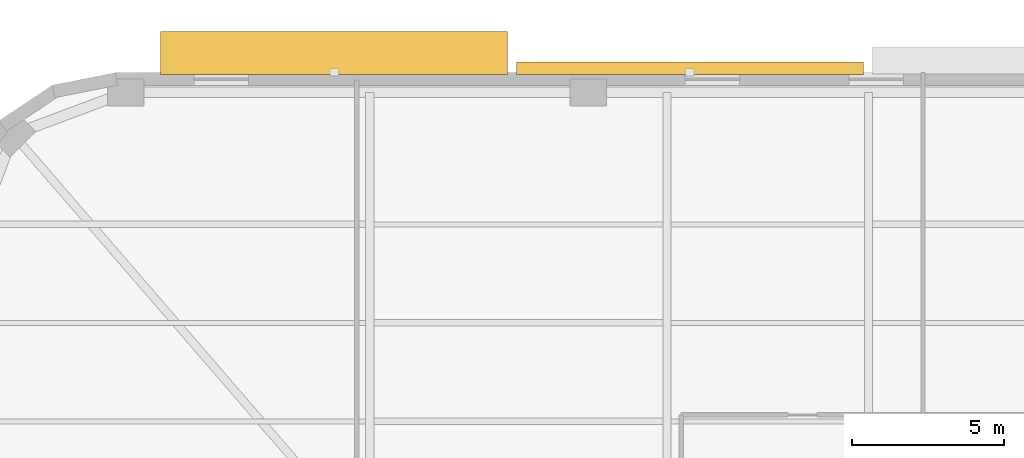
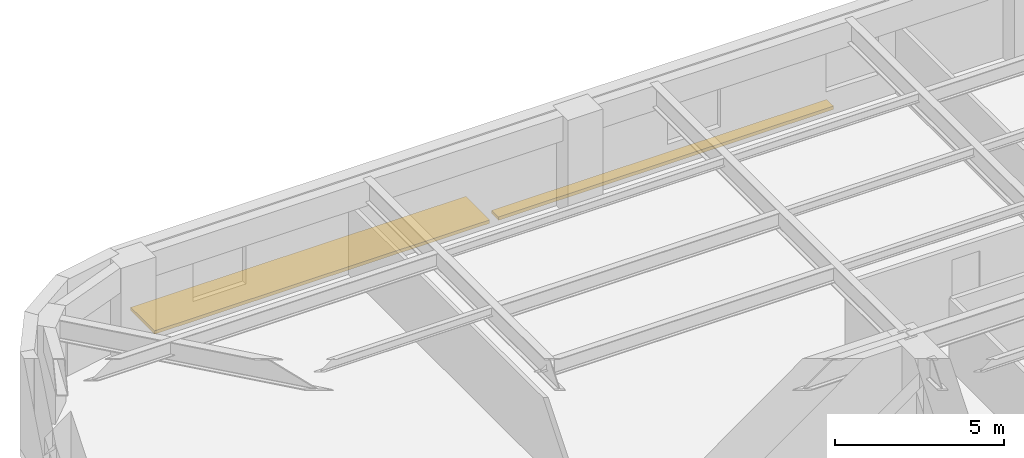
# One storey, part 13 of 15: 2 shading devices.
"""IFC4 building model written with IfcOpenShell, lengths in metres."""

from ifc_helpers import new_model, si_unit, direction, frame, origin, origin_2d, place, context, subcontext, project, spatial, rectangle, extrude, material, type_object, element, save


model = new_model("IFC4")

# Units and contexts
model_context = context("Model", 3, precision=1e-05, world=origin(), true_north=direction((0.0, 1.0)))
body_context = subcontext(model_context, "Body", "Model", "MODEL_VIEW")
ifc_project = project(units=[si_unit("LENGTHUNIT", "METRE"), si_unit("AREAUNIT", "SQUARE_METRE"), si_unit("VOLUMEUNIT", "CUBIC_METRE"), si_unit("PLANEANGLEUNIT", "RADIAN"), si_unit("MASSUNIT", "GRAM", prefix="KILO")], contexts=[model_context])

# Site, building, storey
site_placement = place(None, origin())
site = spatial("IfcSite", under=ifc_project, at=site_placement, CompositionType="ELEMENT")
building_placement = place(site_placement, origin())
building = spatial("IfcBuilding", under=site, at=building_placement, Name="Kolvaren Arena Tower", CompositionType="ELEMENT")
storey_placement = place(building_placement, frame((0.0, 0.0, 64.5)))
storey = spatial("IfcBuildingStorey", under=building, at=storey_placement, Name="L13", CompositionType="ELEMENT", Elevation=64.5)

# Shading devices
ifc_material = material(Name="Architectural precast GFRC and anodised aluminium sunshade", Category="concrete")
shading_device_type_1 = type_object("IfcShadingDeviceType", Name="SHAD-SINE-A", PredefinedType="USERDEFINED", material=ifc_material)
shading_device_1_placement = place(storey_placement, frame((25.110107421875, 49.650390625, -0.14013671875), z_axis=(0.0, 0.0, 1.0), x_axis=(1.0, 0.0, 0.0)))
element("IfcShadingDevice", 1, at=shading_device_1_placement, inside=storey, type_object=shading_device_type_1, Name="Sinusoidal Slab-Edge Sunshade Louvre (L13)", ObjectType="LOUVRE", PredefinedType="USERDEFINED", context=body_context, shape_type="SweptSolid", body=[
    extrude(rectangle(XDim=11.43994140625, YDim=0.40087890625, at=origin_2d()), origin(), (0.0, 0.0, 1.0), 0.1201171875),
])
shading_device_type_2 = type_object("IfcShadingDeviceType", Name="SHAD-SINE-B", PredefinedType="JALOUSIE", material=ifc_material)
shading_device_2_placement = place(storey_placement, frame((13.3701171875, 50.154541015625, -0.14013671875), z_axis=(0.0, 0.0, 1.0), x_axis=(1.0, 0.0, 0.0)))
element("IfcShadingDevice", 2, at=shading_device_2_placement, inside=storey, type_object=shading_device_type_2, Name="Sinusoidal Slab-Edge Sunshade Louvre (L13)", PredefinedType="JALOUSIE", context=body_context, shape_type="SweptSolid", body=[
    extrude(rectangle(XDim=11.43994140625, YDim=1.4091796875, at=origin_2d()), origin(), (0.0, 0.0, 1.0), 0.1201171875),
])

save(model, "model.ifc")
